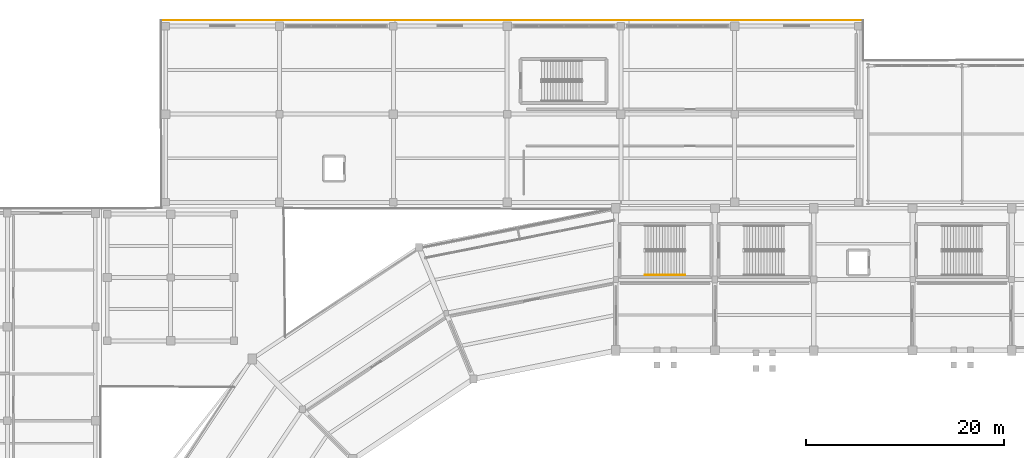
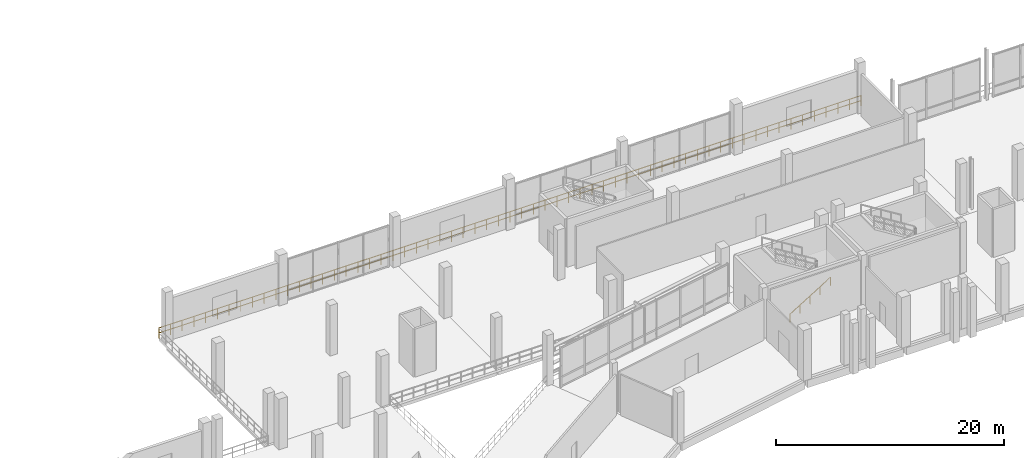
# One storey, part 109 of 114: 2 railings.
"""IFC4 building model written with IfcOpenShell, lengths in metres."""

from ifc_helpers import new_model, si_unit, direction, frame, origin, origin_2d, place, context, subcontext, project, spatial, circle, extrude, material, layer, layer_set, type_object, element, save


model = new_model("IFC4")

# Units and contexts
model_context = context("Model", 3, precision=1e-05, world=origin(), true_north=direction((0.0, 1.0)))
body_context = subcontext(model_context, "Body", "Model", "MODEL_VIEW")
ifc_project = project(units=[si_unit("LENGTHUNIT", "METRE"), si_unit("AREAUNIT", "SQUARE_METRE"), si_unit("VOLUMEUNIT", "CUBIC_METRE"), si_unit("PLANEANGLEUNIT", "RADIAN"), si_unit("MASSUNIT", "GRAM", prefix="KILO")], contexts=[model_context])

# Site, building, storey
site_placement = place(None, origin())
site = spatial("IfcSite", under=ifc_project, at=site_placement, CompositionType="ELEMENT")
building_placement = place(site_placement, origin())
building = spatial("IfcBuilding", under=site, at=building_placement, Name="Candeia Ridge Stadium", CompositionType="ELEMENT")
storey_placement = place(building_placement, frame((0.0, 0.0, 5.39990234375)))
storey = spatial("IfcBuildingStorey", under=building, at=storey_placement, Name="L01", CompositionType="ELEMENT", Elevation=5.39990234375)

# Railings
ifc_material_1 = material(Name="Galvanized Powder-Coated Steel", Category="steel")
ifc_layer_1 = layer(ifc_material_1, 0.074951171875, Name="Galvanized Powder-Coated Steel", Category="steel")
ifc_layer_set_1 = layer_set([ifc_layer_1], Name="Galvanized Powder-Coated Steel")
railing_type_1 = type_object("IfcRailingType", Name="Spectator Bowl Front Guardrail 1120", PredefinedType="GUARDRAIL", material=ifc_layer_set_1)
railing_1_placement = place(storey_placement, frame((25.0, 166.0, 0.0)))
element("IfcRailing", 1, at=railing_1_placement, inside=storey, type_object=railing_type_1, Name="Deck edge safety guardrail GR-DE-L01-0004", PredefinedType="GUARDRAIL", context=body_context, shape_type="SweptSolid", body=[
    extrude(circle(Radius=0.02392578125, at=origin_2d()), frame((0.0, 0.0, 1.09619140625), z_axis=(1.0, 0.0, 0.0), x_axis=(0.0, 1.0, 0.0)), (0.0, 0.0, 1.0), 71.0),
    extrude(circle(Radius=0.02392578125, at=origin_2d()), frame((0.0, 0.0, 0.56005859375), z_axis=(1.0, 0.0, 0.0), x_axis=(0.0, 1.0, 0.0)), (0.0, 0.0, 1.0), 71.0),
    extrude(circle(Radius=0.02099609375, at=origin_2d()), origin(), (0.0, 0.0, 1.0), 1.072021484375),
    extrude(circle(Radius=0.02099609375, at=origin_2d()), frame((1.183349609375, 0.0, 0.0)), (0.0, 0.0, 1.0), 1.072021484375),
    extrude(circle(Radius=0.02099609375, at=origin_2d()), frame((2.36669921875, 0.0, 0.0)), (0.0, 0.0, 1.0), 1.072021484375),
    extrude(circle(Radius=0.02099609375, at=origin_2d()), frame((3.550048828125, 0.0, 0.0)), (0.0, 0.0, 1.0), 1.072021484375),
    extrude(circle(Radius=0.02099609375, at=origin_2d()), frame((4.7333984375, 0.0, 0.0)), (0.0, 0.0, 1.0), 1.072021484375),
    extrude(circle(Radius=0.02099609375, at=origin_2d()), frame((5.916748046875, 0.0, 0.0)), (0.0, 0.0, 1.0), 1.072021484375),
    extrude(circle(Radius=0.02099609375, at=origin_2d()), frame((7.10009765625, 0.0, 0.0)), (0.0, 0.0, 1.0), 1.072021484375),
    extrude(circle(Radius=0.02099609375, at=origin_2d()), frame((8.283447265625, 0.0, 0.0)), (0.0, 0.0, 1.0), 1.072021484375),
    extrude(circle(Radius=0.02099609375, at=origin_2d()), frame((9.466552734375, 0.0, 0.0)), (0.0, 0.0, 1.0), 1.072021484375),
    extrude(circle(Radius=0.02099609375, at=origin_2d()), frame((10.64990234375, 0.0, 0.0)), (0.0, 0.0, 1.0), 1.072021484375),
    extrude(circle(Radius=0.02099609375, at=origin_2d()), frame((11.833251953125, 0.0, 0.0)), (0.0, 0.0, 1.0), 1.072021484375),
    extrude(circle(Radius=0.02099609375, at=origin_2d()), frame((13.0166015625, 0.0, 0.0)), (0.0, 0.0, 1.0), 1.072021484375),
    extrude(circle(Radius=0.02099609375, at=origin_2d()), frame((14.199951171875, 0.0, 0.0)), (0.0, 0.0, 1.0), 1.072021484375),
    extrude(circle(Radius=0.02099609375, at=origin_2d()), frame((15.38330078125, 0.0, 0.0)), (0.0, 0.0, 1.0), 1.072021484375),
    extrude(circle(Radius=0.02099609375, at=origin_2d()), frame((16.566650390625, 0.0, 0.0)), (0.0, 0.0, 1.0), 1.072021484375),
    extrude(circle(Radius=0.02099609375, at=origin_2d()), frame((17.75, 0.0, 0.0)), (0.0, 0.0, 1.0), 1.072021484375),
    extrude(circle(Radius=0.02099609375, at=origin_2d()), frame((18.933349609375, 0.0, 0.0)), (0.0, 0.0, 1.0), 1.072021484375),
    extrude(circle(Radius=0.02099609375, at=origin_2d()), frame((20.11669921875, 0.0, 0.0)), (0.0, 0.0, 1.0), 1.072021484375),
    extrude(circle(Radius=0.02099609375, at=origin_2d()), frame((21.300048828125, 0.0, 0.0)), (0.0, 0.0, 1.0), 1.072021484375),
    extrude(circle(Radius=0.02099609375, at=origin_2d()), frame((22.4833984375, 0.0, 0.0)), (0.0, 0.0, 1.0), 1.072021484375),
    extrude(circle(Radius=0.02099609375, at=origin_2d()), frame((23.666748046875, 0.0, 0.0)), (0.0, 0.0, 1.0), 1.072021484375),
    extrude(circle(Radius=0.02099609375, at=origin_2d()), frame((24.85009765625, 0.0, 0.0)), (0.0, 0.0, 1.0), 1.072021484375),
    extrude(circle(Radius=0.02099609375, at=origin_2d()), frame((26.033447265625, 0.0, 0.0)), (0.0, 0.0, 1.0), 1.072021484375),
    extrude(circle(Radius=0.02099609375, at=origin_2d()), frame((27.216552734375, 0.0, 0.0)), (0.0, 0.0, 1.0), 1.072021484375),
    extrude(circle(Radius=0.02099609375, at=origin_2d()), frame((28.39990234375, 0.0, 0.0)), (0.0, 0.0, 1.0), 1.072021484375),
    extrude(circle(Radius=0.02099609375, at=origin_2d()), frame((29.583251953125, 0.0, 0.0)), (0.0, 0.0, 1.0), 1.072021484375),
    extrude(circle(Radius=0.02099609375, at=origin_2d()), frame((30.7666015625, 0.0, 0.0)), (0.0, 0.0, 1.0), 1.072021484375),
    extrude(circle(Radius=0.02099609375, at=origin_2d()), frame((31.949951171875, 0.0, 0.0)), (0.0, 0.0, 1.0), 1.072021484375),
    extrude(circle(Radius=0.02099609375, at=origin_2d()), frame((33.13330078125, 0.0, 0.0)), (0.0, 0.0, 1.0), 1.072021484375),
    extrude(circle(Radius=0.02099609375, at=origin_2d()), frame((34.316650390625, 0.0, 0.0)), (0.0, 0.0, 1.0), 1.072021484375),
    extrude(circle(Radius=0.02099609375, at=origin_2d()), frame((35.5, 0.0, 0.0)), (0.0, 0.0, 1.0), 1.072021484375),
    extrude(circle(Radius=0.02099609375, at=origin_2d()), frame((36.683349609375, 0.0, 0.0)), (0.0, 0.0, 1.0), 1.072021484375),
    extrude(circle(Radius=0.02099609375, at=origin_2d()), frame((37.86669921875, 0.0, 0.0)), (0.0, 0.0, 1.0), 1.072021484375),
    extrude(circle(Radius=0.02099609375, at=origin_2d()), frame((39.050048828125, 0.0, 0.0)), (0.0, 0.0, 1.0), 1.072021484375),
    extrude(circle(Radius=0.02099609375, at=origin_2d()), frame((40.2333984375, 0.0, 0.0)), (0.0, 0.0, 1.0), 1.072021484375),
    extrude(circle(Radius=0.02099609375, at=origin_2d()), frame((41.416748046875, 0.0, 0.0)), (0.0, 0.0, 1.0), 1.072021484375),
    extrude(circle(Radius=0.02099609375, at=origin_2d()), frame((42.60009765625, 0.0, 0.0)), (0.0, 0.0, 1.0), 1.072021484375),
    extrude(circle(Radius=0.02099609375, at=origin_2d()), frame((43.783447265625, 0.0, 0.0)), (0.0, 0.0, 1.0), 1.072021484375),
    extrude(circle(Radius=0.02099609375, at=origin_2d()), frame((44.966552734375, 0.0, 0.0)), (0.0, 0.0, 1.0), 1.072021484375),
    extrude(circle(Radius=0.02099609375, at=origin_2d()), frame((46.14990234375, 0.0, 0.0)), (0.0, 0.0, 1.0), 1.072021484375),
    extrude(circle(Radius=0.02099609375, at=origin_2d()), frame((47.333251953125, 0.0, 0.0)), (0.0, 0.0, 1.0), 1.072021484375),
    extrude(circle(Radius=0.02099609375, at=origin_2d()), frame((48.5166015625, 0.0, 0.0)), (0.0, 0.0, 1.0), 1.072021484375),
    extrude(circle(Radius=0.02099609375, at=origin_2d()), frame((49.699951171875, 0.0, 0.0)), (0.0, 0.0, 1.0), 1.072021484375),
    extrude(circle(Radius=0.02099609375, at=origin_2d()), frame((50.88330078125, 0.0, 0.0)), (0.0, 0.0, 1.0), 1.072021484375),
    extrude(circle(Radius=0.02099609375, at=origin_2d()), frame((52.066650390625, 0.0, 0.0)), (0.0, 0.0, 1.0), 1.072021484375),
    extrude(circle(Radius=0.02099609375, at=origin_2d()), frame((53.25, 0.0, 0.0)), (0.0, 0.0, 1.0), 1.072021484375),
    extrude(circle(Radius=0.02099609375, at=origin_2d()), frame((54.433349609375, 0.0, 0.0)), (0.0, 0.0, 1.0), 1.072021484375),
    extrude(circle(Radius=0.02099609375, at=origin_2d()), frame((55.61669921875, 0.0, 0.0)), (0.0, 0.0, 1.0), 1.072021484375),
    extrude(circle(Radius=0.02099609375, at=origin_2d()), frame((56.800048828125, 0.0, 0.0)), (0.0, 0.0, 1.0), 1.072021484375),
    extrude(circle(Radius=0.02099609375, at=origin_2d()), frame((57.9833984375, 0.0, 0.0)), (0.0, 0.0, 1.0), 1.072021484375),
    extrude(circle(Radius=0.02099609375, at=origin_2d()), frame((59.166748046875, 0.0, 0.0)), (0.0, 0.0, 1.0), 1.072021484375),
    extrude(circle(Radius=0.02099609375, at=origin_2d()), frame((60.35009765625, 0.0, 0.0)), (0.0, 0.0, 1.0), 1.072021484375),
    extrude(circle(Radius=0.02099609375, at=origin_2d()), frame((61.533447265625, 0.0, 0.0)), (0.0, 0.0, 1.0), 1.072021484375),
    extrude(circle(Radius=0.02099609375, at=origin_2d()), frame((62.716552734375, 0.0, 0.0)), (0.0, 0.0, 1.0), 1.072021484375),
    extrude(circle(Radius=0.02099609375, at=origin_2d()), frame((63.89990234375, 0.0, 0.0)), (0.0, 0.0, 1.0), 1.072021484375),
    extrude(circle(Radius=0.02099609375, at=origin_2d()), frame((65.083251953125, 0.0, 0.0)), (0.0, 0.0, 1.0), 1.072021484375),
    extrude(circle(Radius=0.02099609375, at=origin_2d()), frame((66.2666015625, 0.0, 0.0)), (0.0, 0.0, 1.0), 1.072021484375),
    extrude(circle(Radius=0.02099609375, at=origin_2d()), frame((67.449951171875, 0.0, 0.0)), (0.0, 0.0, 1.0), 1.072021484375),
    extrude(circle(Radius=0.02099609375, at=origin_2d()), frame((68.63330078125, 0.0, 0.0)), (0.0, 0.0, 1.0), 1.072021484375),
    extrude(circle(Radius=0.02099609375, at=origin_2d()), frame((69.816650390625, 0.0, 0.0)), (0.0, 0.0, 1.0), 1.072021484375),
    extrude(circle(Radius=0.02099609375, at=origin_2d()), frame((71.0, 0.0, 0.0)), (0.0, 0.0, 1.0), 1.072021484375),
])
ifc_material_2 = material(Name="Brushed Stainless Steel", Category="steel")
ifc_layer_2 = layer(ifc_material_2, 0.048095703125, Name="Brushed Stainless Steel", Category="steel")
ifc_layer_set_2 = layer_set([ifc_layer_2], Name="Brushed Stainless Steel")
railing_type_2 = type_object("IfcRailingType", Name="Stair Wall & Flight Handrail 900", PredefinedType="HANDRAIL", material=ifc_layer_set_2)
railing_2_placement = place(storey_placement, frame((73.949951171875, 140.25, 0.18017578125)))
element("IfcRailing", 2, at=railing_2_placement, inside=storey, type_object=railing_type_2, Name="L01 ST01 stair handrail 1", PredefinedType="HANDRAIL", context=body_context, shape_type="SweptSolid", body=[
    extrude(circle(Radius=0.02392578125, at=origin_2d()), frame((0.0, 0.0, 0.8759765625), z_axis=(0.849641744969, 0.0, 0.527360318194), x_axis=(0.0, 1.0, 0.0)), (0.0, 0.0, 1.0), 4.778564453125),
    extrude(circle(Radius=0.02099609375, at=origin_2d()), origin(), (0.0, 0.0, 1.0), 0.851806640625),
    extrude(circle(Radius=0.02099609375, at=origin_2d()), frame((1.01513671875, 0.0, 0.6298828125)), (0.0, 0.0, 1.0), 0.851806640625),
    extrude(circle(Radius=0.02099609375, at=origin_2d()), frame((2.030029296875, 0.0, 1.260009765625)), (0.0, 0.0, 1.0), 0.851806640625),
    extrude(circle(Radius=0.02099609375, at=origin_2d()), frame((3.044921875, 0.0, 1.89013671875)), (0.0, 0.0, 1.0), 0.851806640625),
    extrude(circle(Radius=0.02099609375, at=origin_2d()), frame((4.06005859375, 0.0, 2.52001953125)), (0.0, 0.0, 1.0), 0.851806640625),
])

save(model, "model.ifc")
